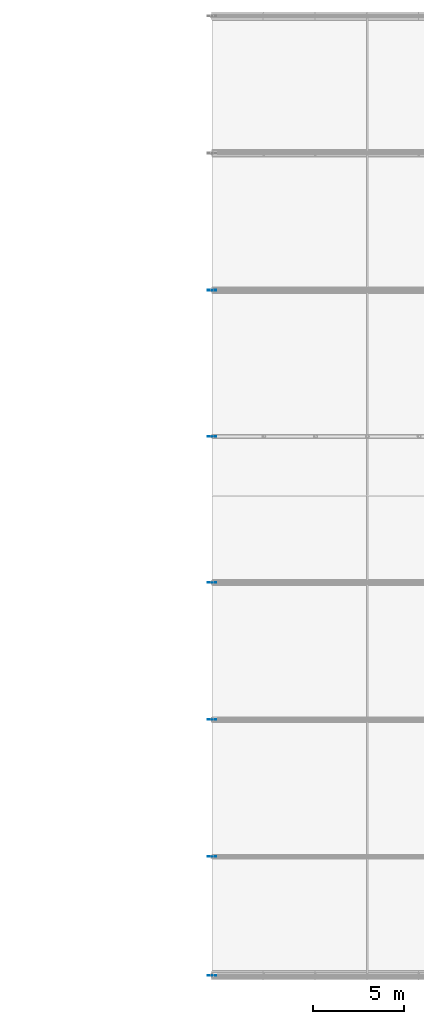
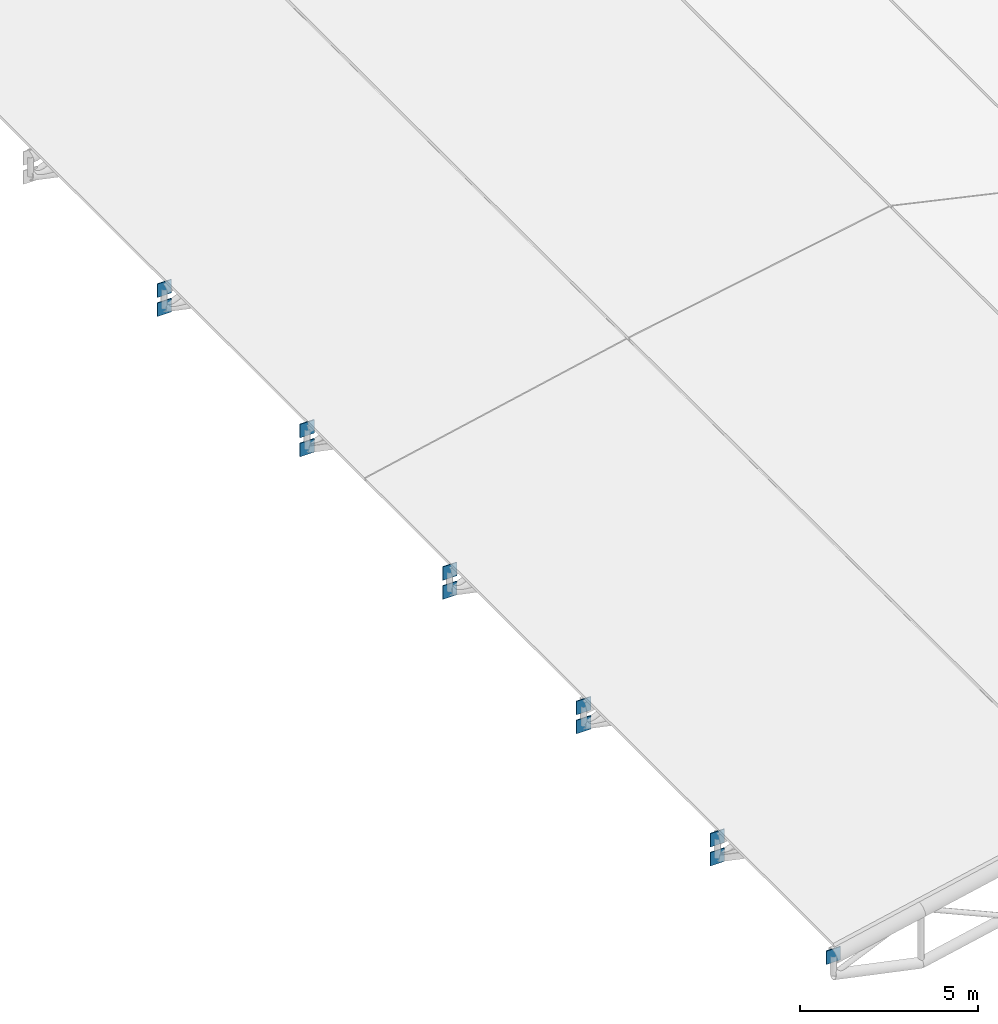
# One storey, part 25 of 28: 11 plates.
"""IFC4 building model written with IfcOpenShell, lengths in metres."""

from ifc_helpers import new_model, si_unit, direction, frame, origin, origin_2d, place, context, subcontext, project, spatial, rectangle, extrude, material, layer, layer_set, type_object, element, save


model = new_model("IFC4")

# Units and contexts
model_context = context("Model", 3, precision=1e-05, world=origin(), true_north=direction((0.0, 1.0)))
body_context = subcontext(model_context, "Body", "Model", "MODEL_VIEW")
ifc_project = project(units=[si_unit("LENGTHUNIT", "METRE"), si_unit("AREAUNIT", "SQUARE_METRE"), si_unit("VOLUMEUNIT", "CUBIC_METRE"), si_unit("PLANEANGLEUNIT", "RADIAN"), si_unit("MASSUNIT", "GRAM", prefix="KILO"), si_unit("THERMODYNAMICTEMPERATUREUNIT", "KELVIN"), si_unit("POWERUNIT", "WATT")], contexts=[model_context])

# Site, building, storey
site_placement = place(None, origin())
site = spatial("IfcSite", under=ifc_project, at=site_placement, CompositionType="ELEMENT")
building_placement = place(site_placement, origin())
building = spatial("IfcBuilding", under=site, at=building_placement, Name="Tepalcoro Natatorium and Aquatics Centre", CompositionType="ELEMENT")
storey_placement = place(building_placement, frame((0.0, 0.0, 23.199951171875)))
storey = spatial("IfcBuildingStorey", under=building, at=storey_placement, Name="RF", CompositionType="ELEMENT", Elevation=23.199951171875)

# Plates
ifc_material = material(Name="Plate Steel ASTM A572 Grade 50 (Fy 345 MPa)", Category="steel")
ifc_layer = layer(ifc_material, 0.031982421875)
ifc_layer_set = layer_set([ifc_layer], Name="Plate Steel ASTM A572 Grade 50 (Fy 345 MPa)")
plate_type = type_object("IfcPlateType", Name="PL_CAP_32", PredefinedType="USERDEFINED", material=ifc_layer_set)
for number, where, z_axis, x_axis, name in (
    (1, (142.0, 6.5, -3.947021484375), (0.0, 0.0, 1.0), (1.0, 0.0, 0.0), "Truss Node Cap Plate V2T_0"),
    (2, (142.0, 13.0, -4.517822265625), (0.0, 0.0, 1.0), (1.0, 0.0, 0.0), "Truss Node Cap Plate V2AT_1"),
    (3, (142.0, 13.0, -3.867919921875), (0.0, 0.0, 1.0), (1.0, 0.0, 0.0), "Truss Node Cap Plate V2T_1"),
    (4, (142.0, 20.5, -4.54296875), (0.0, 0.0, 1.0), (1.0, 0.0, 0.0), "Truss Node Cap Plate V2AT_2"),
    (5, (142.0, 20.5, -3.892822265625), (0.0, 0.0, 1.0), (1.0, 0.0, 0.0), "Truss Node Cap Plate V2T_2"),
    (6, (142.0, 28.0, -4.492919921875), (0.0, 0.0, 1.0), (1.0, 0.0, 0.0), "Truss Node Cap Plate V2AT_3"),
    (7, (142.0, 28.0, -3.843017578125), (0.0, 0.0, 1.0), (1.0, 0.0, 0.0), "Truss Node Cap Plate V2T_3"),
    (8, (142.0, 36.0, -4.468017578125), (0.0, 0.0, 1.0), (1.0, 0.0, 0.0), "Truss Node Cap Plate V2AT_4"),
    (9, (142.0, 36.0, -3.81787109375), (0.0, 0.0, 1.0), (1.0, 0.0, 0.0), "Truss Node Cap Plate V2T_4"),
    (10, (142.0, 44.0, -4.52099609375), (0.0, 0.0, 1.0), (1.0, 0.0, 0.0), "Truss Node Cap Plate V2AT_5"),
    (11, (142.0, 44.0, -3.870849609375), (0.0, 0.0, 1.0), (1.0, 0.0, 0.0), "Truss Node Cap Plate V2T_5"),
):
    element("IfcPlate", number, at=place(storey_placement, frame(where, z_axis=z_axis, x_axis=x_axis)), inside=storey, type_object=plate_type, Name=name, ObjectType="CAP PLATE", PredefinedType="USERDEFINED", context=body_context, shape_type="SweptSolid", body=[
        extrude(rectangle(XDim=0.4599609375, YDim=0.031982421875, at=origin_2d()), origin(), (0.0, 0.0, 1.0), 0.4599609375),
    ])

save(model, "model.ifc")
